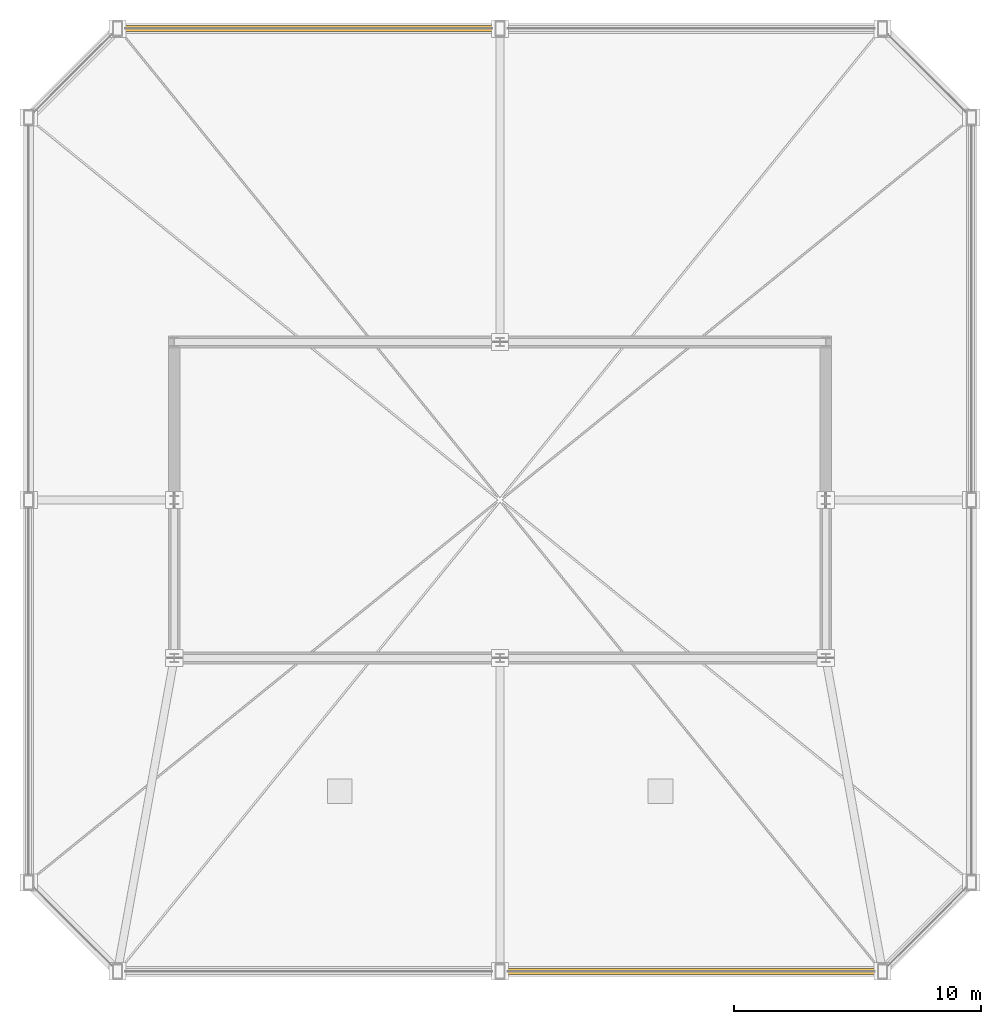
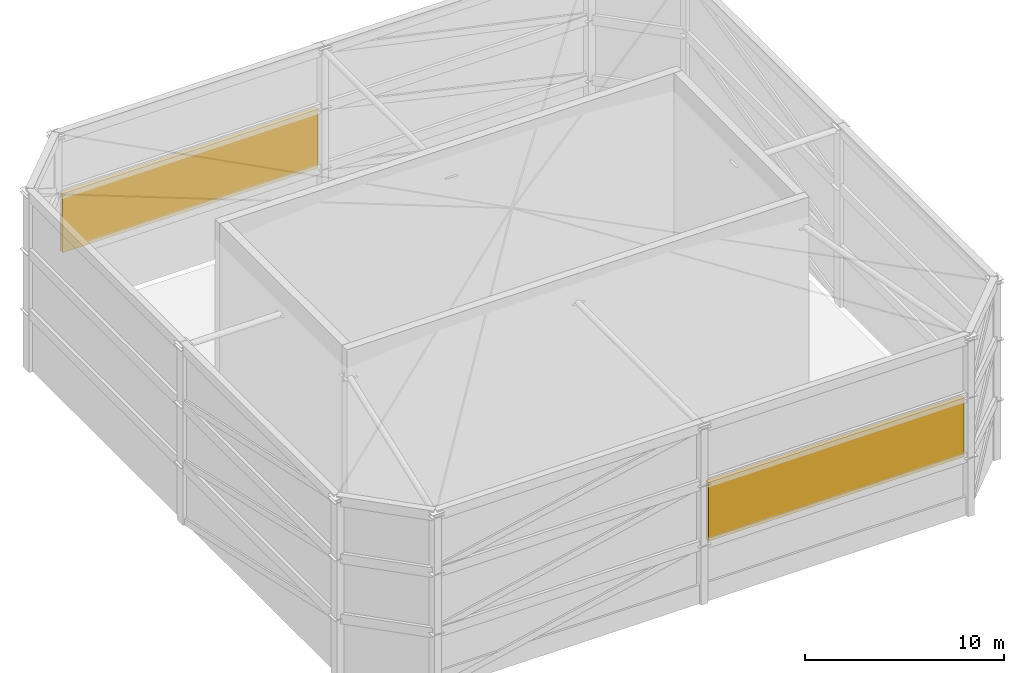
# One storey, part 6 of 6: 2 shading devices.
"""IFC4 building model written with IfcOpenShell, lengths in metres."""

import ifcopenshell
import ifcopenshell.guid

model = None  # the IFC model being written
_history = None  # IfcOwnerHistory: only IFC2X3 demands one
_inside = {}  # id of a spatial element -> (the spatial element, [elements in it])
_under = {}  # id of a project, library or spatial element -> (it, [spatial elements below it])
_declared = {}  # id of a project -> (the project, [libraries it declares])
_typed = {}  # id of a type object -> (the type object, [elements of that type])
_made_of = {}  # id of a material, layer set ... -> (it, [elements and type objects made of it])


def new_model(schema):
    """Start an empty IFC model of exactly this schema.

    Asked for "IFC4X3", IfcOpenShell would pick the latest addendum, in which some entities
    have other attributes; the version numbers below select the first issue.
    IFC2X3 requires an IfcOwnerHistory on every rooted entity: one is made here for all.
    """
    global model, _history
    if schema == "IFC4X3":
        model = ifcopenshell.file(schema_version=(4, 3, 0, 0))
    else:
        model = ifcopenshell.file(schema=schema)
    _inside.clear()
    _under.clear()
    _declared.clear()
    _typed.clear()
    _made_of.clear()
    _history = None
    if model.schema == "IFC2X3":
        org = make("IfcOrganization", Name="unknown")
        user = make(
            "IfcPersonAndOrganization",
            ThePerson=make("IfcPerson", FamilyName="unknown"),
            TheOrganization=org,
        )
        app = make(
            "IfcApplication",
            ApplicationDeveloper=org,
            Version="unknown",
            ApplicationFullName="unknown",
            ApplicationIdentifier="unknown",
        )
        _history = make(
            "IfcOwnerHistory",
            OwningUser=user,
            OwningApplication=app,
            ChangeAction="ADDED",
            CreationDate=0,
        )
    return model


def make(cls, **values):
    """One entity of the class cls with the attributes given. An attribute that is None is left unset."""
    return model.create_entity(
        cls, **{name: value for name, value in values.items() if value is not None}
    )


def rooted(cls, **values):
    """An entity with a GlobalId (a new one), such as an element, a storey or a relation."""
    return make(cls, GlobalId=ifcopenshell.guid.new(), OwnerHistory=_history, **values)


def si_unit(unit_type, name, prefix=None):
    """IfcSIUnit, for example si_unit("LENGTHUNIT", "METRE", prefix="MILLI")."""
    return make("IfcSIUnit", UnitType=unit_type, Prefix=prefix, Name=name)


def assignment(units):
    """IfcUnitAssignment: the units of a project."""
    return None if units is None else make("IfcUnitAssignment", Units=units)


def point(xyz):
    """IfcCartesianPoint."""
    return None if xyz is None else make("IfcCartesianPoint", Coordinates=xyz)


def direction(xyz):
    """IfcDirection."""
    return None if xyz is None else make("IfcDirection", DirectionRatios=xyz)


def frame(location, z_axis=None, x_axis=None):
    """IfcAxis2Placement3D, a coordinate frame: its origin and axes. An axis left out is left unset."""
    return make(
        "IfcAxis2Placement3D",
        Location=point(location),
        Axis=direction(z_axis),
        RefDirection=direction(x_axis),
    )


def frame_2d(location, x_axis=None):
    """IfcAxis2Placement2D, a coordinate frame in the plane: its origin and x axis."""
    return make(
        "IfcAxis2Placement2D", Location=point(location), RefDirection=direction(x_axis)
    )


def origin():
    """The frame at (0, 0, 0) with its axes left unset."""
    return frame((0.0, 0.0, 0.0))


def origin_2d():
    """The frame at (0, 0) in the plane with its x axis left unset."""
    return frame_2d((0.0, 0.0))


def place(relative_to, where):
    """IfcLocalPlacement: puts the frame where relative to a parent placement (None: the world)."""
    return make(
        "IfcLocalPlacement", PlacementRelTo=relative_to, RelativePlacement=where
    )


def context(
    kind, dimensions, precision=None, world=None, true_north=None, identifier=None
):
    """IfcGeometricRepresentationContext, for example the 3D "Model" context."""
    return make(
        "IfcGeometricRepresentationContext",
        ContextIdentifier=identifier,
        ContextType=kind,
        CoordinateSpaceDimension=dimensions,
        Precision=precision,
        WorldCoordinateSystem=world,
        TrueNorth=true_north,
    )


def subcontext(parent, identifier, kind, view, scale=None):
    """IfcGeometricRepresentationSubContext, for example "Body" below "Model"."""
    return make(
        "IfcGeometricRepresentationSubContext",
        ContextIdentifier=identifier,
        ContextType=kind,
        ParentContext=parent,
        TargetScale=scale,
        TargetView=view,
    )


def project(units=None, contexts=None):
    """IfcProject with its units and contexts."""
    return rooted(
        "IfcProject",
        Name="project",
        RepresentationContexts=contexts,
        UnitsInContext=assignment(units),
    )


def spatial(cls, under=None, at=None, **own):
    """A site, building, storey or space (cls), placed at a placement, below another one or the project."""
    s = rooted(cls, ObjectPlacement=at, **own)
    if under is not None:
        _under.setdefault(under.id(), (under, []))[1].append(s)
    return s


def profile(cls, at=None, kind="AREA", **sizes):
    """A parametric profile (cls). Its sizes go by their IFC names, for example OverallWidth=200.0."""
    return make(cls, ProfileType=kind, Position=at, **sizes)


def rectangle(**sizes):
    """IfcRectangleProfileDef."""
    return profile("IfcRectangleProfileDef", **sizes)


def extrude(swept, where, along, depth):
    """IfcExtrudedAreaSolid: the profile swept, set in the frame where, extruded along a direction by depth."""
    return make(
        "IfcExtrudedAreaSolid",
        SweptArea=swept,
        Position=where,
        ExtrudedDirection=direction(along),
        Depth=depth,
    )


def shape(context_of_items, identifier, shape_type, items):
    """IfcShapeRepresentation: the items that make up one representation, for example the "Body"."""
    return make(
        "IfcShapeRepresentation",
        ContextOfItems=context_of_items,
        RepresentationIdentifier=identifier,
        RepresentationType=shape_type,
        Items=items,
    )


def source(mapping_origin, context_of_items, identifier, shape_type, items):
    """IfcRepresentationMap: a shape defined once, which mapped items show again and again."""
    return make(
        "IfcRepresentationMap",
        MappingOrigin=mapping_origin,
        MappedRepresentation=shape(context_of_items, identifier, shape_type, items),
    )


def transform(
    local_origin,
    x_axis=None,
    y_axis=None,
    z_axis=None,
    scale=None,
    scale2=None,
    scale3=None,
    uniform=True,
):
    """IfcCartesianTransformationOperator3D, or its non-uniform kind. x_axis, y_axis, z_axis: its Axis1, 2, 3."""
    if uniform:
        return make(
            "IfcCartesianTransformationOperator3D",
            Axis1=direction(x_axis),
            Axis2=direction(y_axis),
            LocalOrigin=point(local_origin),
            Scale=scale,
            Axis3=direction(z_axis),
        )
    return make(
        "IfcCartesianTransformationOperator3DnonUniform",
        Axis1=direction(x_axis),
        Axis2=direction(y_axis),
        LocalOrigin=point(local_origin),
        Scale=scale,
        Axis3=direction(z_axis),
        Scale2=scale2,
        Scale3=scale3,
    )


def mapped(mapping_source, mapping_target):
    """IfcMappedItem: shows the shape of a source again, moved by a transform."""
    return make(
        "IfcMappedItem", MappingSource=mapping_source, MappingTarget=mapping_target
    )


def material(Name=None, Category=None):
    """IfcMaterial."""
    return make("IfcMaterial", Name=Name, Category=Category)


def layer(
    of_material, thickness, ventilated=None, Name=None, Category=None, Priority=None
):
    """IfcMaterialLayer: one layer of a wall or slab, of a material (None: an air gap)."""
    return make(
        "IfcMaterialLayer",
        Material=of_material,
        LayerThickness=thickness,
        IsVentilated=ventilated,
        Name=Name,
        Category=Category,
        Priority=Priority,
    )


def layer_set(layers, Name=None):
    """IfcMaterialLayerSet."""
    return make("IfcMaterialLayerSet", MaterialLayers=layers, LayerSetName=Name)


def made_of(thing, what):
    """Note that an element or type object is made of a material, layer set ...; save() writes the relation."""
    if what is not None:
        _made_of.setdefault(what.id(), (what, []))[1].append(thing)
    return thing


def type_object(cls, material=None, **own):
    """A type object (cls), such as IfcWallType, which elements share."""
    return made_of(rooted(cls, **own), material)


def element(
    cls,
    number,
    at=None,
    inside=None,
    cuts=None,
    type_object=None,
    material=None,
    context=None,
    identifier="Body",
    shape_type=None,
    held_by="IfcProductDefinitionShape",
    body=None,
    shapes=None,
    **own,
):
    """One element of the class cls, such as IfcWall. Its Tag is "e" and its number.

    at: its placement. inside: the storey or other place that contains it. cuts: it is an
    opening in that element (IfcRelVoidsElement). A single representation is given by context,
    identifier, shape_type and body (its items); several are given by shapes. held_by: the class
    of the entity that holds the representations. save() writes the other relations.
    """
    e = rooted(cls, Tag="e%d" % number, ObjectPlacement=at, **own)
    if body is not None:
        shapes = [shape(context, identifier, shape_type, body)]
    if shapes is not None:
        e.Representation = make(held_by, Representations=shapes)
    if inside is not None:
        _inside.setdefault(inside.id(), (inside, []))[1].append(e)
    if cuts is not None:
        rooted(
            "IfcRelVoidsElement", RelatingBuildingElement=cuts, RelatedOpeningElement=e
        )
    if type_object is not None:
        _typed.setdefault(type_object.id(), (type_object, []))[1].append(e)
    return made_of(e, material)


def aggregate(whole, parts):
    """IfcRelAggregates: a whole, such as a stair, and the parts it consists of."""
    return rooted("IfcRelAggregates", RelatingObject=whole, RelatedObjects=parts)


def save(model, path):
    """Write the relations noted so far, then the file.

    IfcRelAggregates (storeys below a building ...), IfcRelContainedInSpatialStructure (elements
    in a storey), IfcRelDefinesByType, IfcRelAssociatesMaterial and IfcRelDeclares: one each for
    every whole, place, type object, material and project.
    """
    for whole, parts in _under.values():
        aggregate(whole, parts)
    for where, things in _inside.values():
        rooted(
            "IfcRelContainedInSpatialStructure",
            RelatedElements=things,
            RelatingStructure=where,
        )
    for kind, things in _typed.values():
        rooted("IfcRelDefinesByType", RelatedObjects=things, RelatingType=kind)
    for what, things in _made_of.values():
        rooted("IfcRelAssociatesMaterial", RelatedObjects=things, RelatingMaterial=what)
    for by, libraries in _declared.values():
        rooted("IfcRelDeclares", RelatingContext=by, RelatedDefinitions=libraries)
    model.write(path)


model = new_model("IFC4")

# Units and contexts
model_context = context("Model", 3, precision=1e-05, world=origin(), true_north=direction((0.0, 1.0)))
body_context = subcontext(model_context, "Body", "Model", "MODEL_VIEW")
ifc_project = project(units=[si_unit("LENGTHUNIT", "METRE"), si_unit("AREAUNIT", "SQUARE_METRE"), si_unit("VOLUMEUNIT", "CUBIC_METRE"), si_unit("PLANEANGLEUNIT", "RADIAN"), si_unit("MASSUNIT", "GRAM", prefix="KILO"), si_unit("THERMODYNAMICTEMPERATUREUNIT", "KELVIN"), si_unit("POWERUNIT", "WATT")], contexts=[model_context])

# Site, building, storey
site_placement = place(None, origin())
site = spatial("IfcSite", under=ifc_project, at=site_placement, CompositionType="ELEMENT")
building_placement = place(site_placement, origin())
building = spatial("IfcBuilding", under=site, at=building_placement, Name="Yuzanri Waterfront Tower", CompositionType="ELEMENT")
storey_placement = place(building_placement, frame((0.0, 0.0, 363.800048828125)))
storey = spatial("IfcBuildingStorey", under=building, at=storey_placement, Name="RF", CompositionType="ELEMENT", Elevation=363.800048828125)

# Shading devices
ifc_material = material(Name="Anodized Architectural Bronze", Category="metal")
ifc_layer = layer(ifc_material, 0.239990234375)
ifc_layer_set = layer_set([ifc_layer], Name="Anodized Architectural Bronze")
shading_device_type = type_object("IfcShadingDeviceType", Name="Anodized Bronze Crown Acoustic Louvre Screen 240", PredefinedType="USERDEFINED", material=ifc_layer_set)
shared_shape = source(origin(), body_context, "Body", "SweptSolid", [
    extrude(rectangle(XDim=14.860107421875, YDim=0.239990234375, at=origin_2d()), origin(), (0.0, 0.0, 1.0), 3.6201171875),
])
for number, where, z_axis, x_axis, name in (
    (1, (44.75, 6.699951171875, 3.639892578125), (0.0, 0.0, 1.0), (1.0, 0.0, 0.0), "RF Crown Acoustic Louvre Tier 2 CS2"),
    (2, (29.25, 44.89990234375, 3.639892578125), (0.0, 0.0, 1.0), (1.0, 0.0, 0.0), "RF Crown Acoustic Louvre Tier 2 CN2"),
):
    element("IfcShadingDevice", number, at=place(storey_placement, frame(where, z_axis=z_axis, x_axis=x_axis)), inside=storey, type_object=shading_device_type, Name=name, ObjectType="LOUVRE", PredefinedType="USERDEFINED", context=body_context, shape_type="MappedRepresentation", body=[
        mapped(shared_shape, transform((0.0, 0.0, 0.0), scale=1.0)),
    ])

save(model, "model.ifc")
